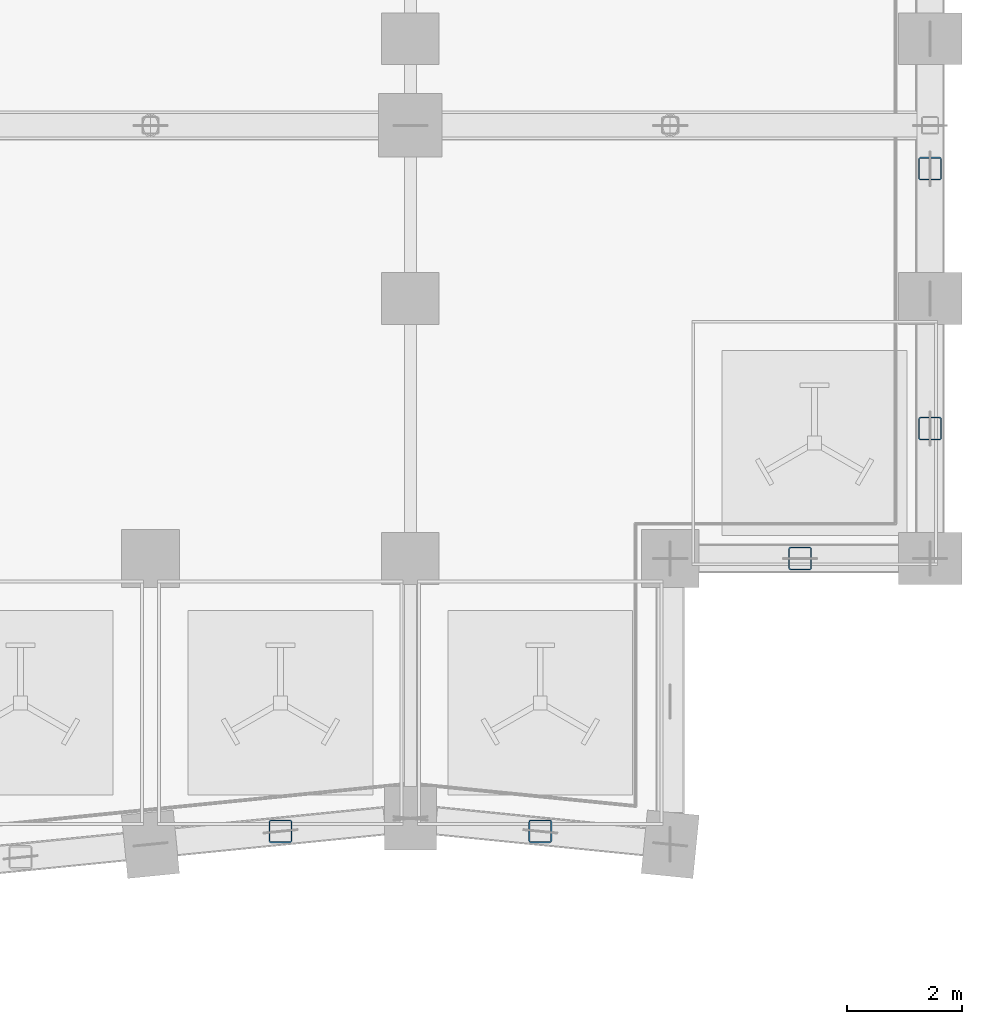
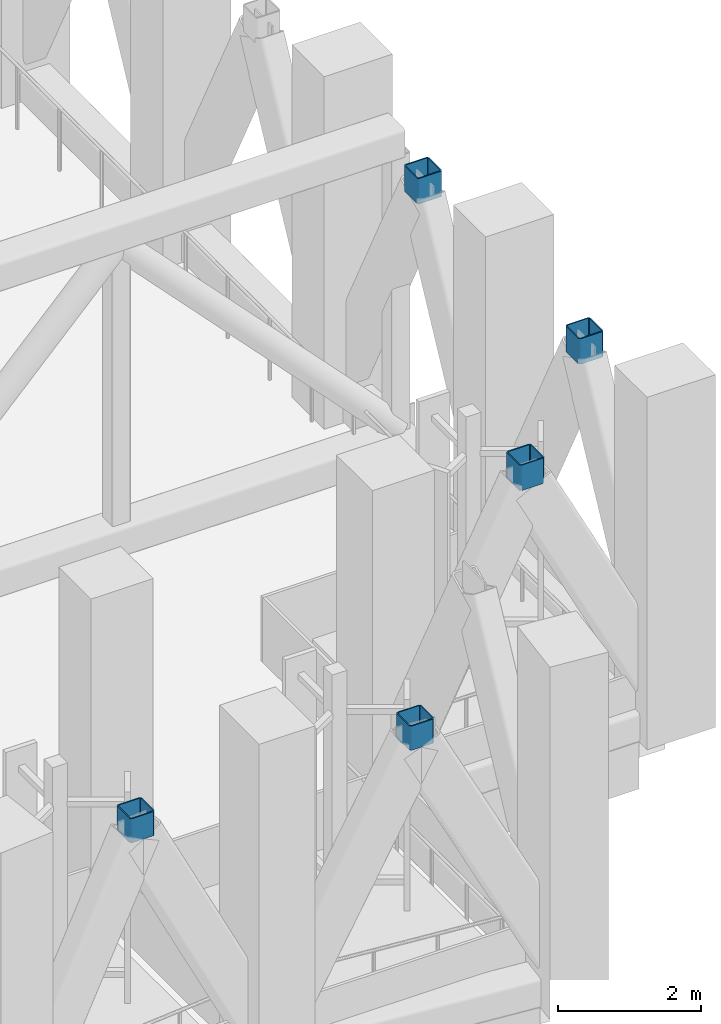
# One storey, part 11 of 28: 5 members.
"""IFC4 building model written with IfcOpenShell, lengths in metres."""

from ifc_helpers import new_model, si_unit, direction, frame, origin, origin_2d, place, context, subcontext, project, spatial, hollow_rectangle, extrude, material, material_profile, profile_set, type_object, element, save


model = new_model("IFC4")

# Units and contexts
model_context = context("Model", 3, precision=1e-05, world=origin(), true_north=direction((0.0, 1.0)))
body_context = subcontext(model_context, "Body", "Model", "MODEL_VIEW")
ifc_project = project(units=[si_unit("LENGTHUNIT", "METRE"), si_unit("AREAUNIT", "SQUARE_METRE"), si_unit("VOLUMEUNIT", "CUBIC_METRE"), si_unit("PLANEANGLEUNIT", "RADIAN"), si_unit("MASSUNIT", "GRAM", prefix="KILO")], contexts=[model_context])

# Site, building, storey
site_placement = place(None, origin())
site = spatial("IfcSite", under=ifc_project, at=site_placement, CompositionType="ELEMENT")
building_placement = place(site_placement, origin())
building = spatial("IfcBuilding", under=site, at=building_placement, Name="Brondeck Convention Tower", CompositionType="ELEMENT")
storey_placement = place(building_placement, frame((0.0, 0.0, 192.800048828125)))
storey = spatial("IfcBuildingStorey", under=building, at=storey_placement, Name="L47", CompositionType="ELEMENT", Elevation=192.800048828125)

# Members
ifc_material = material(Name="Steel S460", Category="steel")
ifc_material_profile = material_profile(ifc_material, hollow_rectangle(XDim=0.39990234375, YDim=0.39990234375, WallThickness=0.02001953125, InnerFilletRadius=0.02001953125, OuterFilletRadius=0.0400390625, at=origin_2d()), Name="RHS 400x400x20")
ifc_profile_set = profile_set([ifc_material_profile], Name="Steel S460")
member_type = type_object("IfcMemberType", Name="Chevron strut RHS 400x400x20", PredefinedType="STRUT", material=ifc_profile_set)
for number, where, z_axis, x_axis, name in (
    (1, (51.75, 26.77490234375, 4.937744140625), (0.0, 0.0, 1.0), (1.0, 0.0, 0.0), "Belt truss BT-47-15 post"),
    (2, (56.25, 26.77490234375, 4.937744140625), (0.0, 0.0, 1.0), (1.0, 0.0, 0.0), "Belt truss BT-47-16 post"),
):
    element("IfcMember", number, at=place(storey_placement, frame(where, z_axis=z_axis, x_axis=x_axis)), inside=storey, type_object=member_type, Name=name, PredefinedType="STRUT", context=body_context, shape_type="SweptSolid", body=[
        extrude(hollow_rectangle(XDim=0.39990234375, YDim=0.39990234375, WallThickness=0.02001953125, InnerFilletRadius=0.02001953125, OuterFilletRadius=0.0400390625, at=origin_2d()), origin(), (0.0, 0.0, 1.0), 0.412109375),
    ])
for number, where, z_axis, x_axis, name in (
    (3, (60.75, 31.5, 4.915771484375), (0.0, 0.0, 1.0), (1.0, 0.0, 0.0), "Belt truss BT-47-18 post"),
    (4, (63.0, 33.75, 4.915771484375), (0.0, 0.0, 1.0), (1.0, 0.0, 0.0), "Belt truss BT-47-19 post"),
    (5, (63.0, 38.25, 4.915771484375), (0.0, 0.0, 1.0), (1.0, 0.0, 0.0), "Belt truss BT-47-20 post"),
):
    element("IfcMember", number, at=place(storey_placement, frame(where, z_axis=z_axis, x_axis=x_axis)), inside=storey, type_object=member_type, Name=name, PredefinedType="STRUT", context=body_context, shape_type="SweptSolid", body=[
        extrude(hollow_rectangle(XDim=0.39990234375, YDim=0.39990234375, WallThickness=0.02001953125, InnerFilletRadius=0.02001953125, OuterFilletRadius=0.0400390625, at=origin_2d()), origin(), (0.0, 0.0, 1.0), 0.43408203125),
    ])

save(model, "model.ifc")
